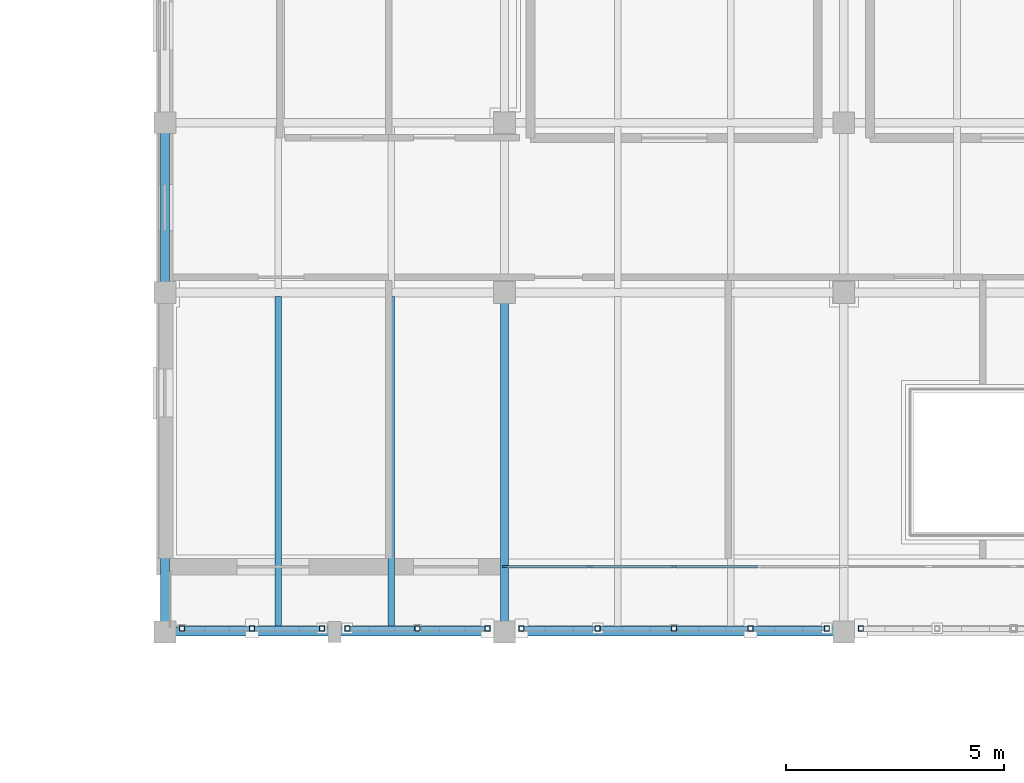
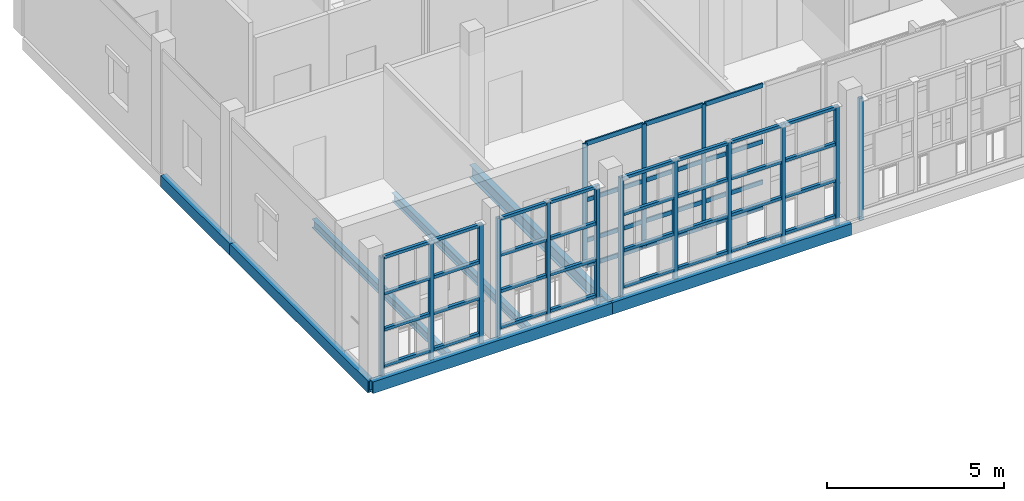
# One storey, part 33 of 89: 59 members, 7 beams, 1 element without a shape of its own.
"""IFC4 building model written with IfcOpenShell, lengths in metres."""

from ifc_helpers import new_model, si_unit, direction, frame, origin, origin_2d, place, context, subcontext, project, spatial, rectangle, hollow_rectangle, i_section, extrude, material, layer, layer_set, material_profile, profile_set, type_object, element, aggregate, save


model = new_model("IFC4")

# Units and contexts
model_context = context("Model", 3, precision=1e-05, world=origin(), true_north=direction((0.0, 1.0)))
body_context = subcontext(model_context, "Body", "Model", "MODEL_VIEW")
ifc_project = project(units=[si_unit("LENGTHUNIT", "METRE"), si_unit("AREAUNIT", "SQUARE_METRE"), si_unit("VOLUMEUNIT", "CUBIC_METRE"), si_unit("PLANEANGLEUNIT", "RADIAN"), si_unit("MASSUNIT", "GRAM", prefix="KILO")], contexts=[model_context])

# Site, building, storey
site_placement = place(None, origin())
site = spatial("IfcSite", under=ifc_project, at=site_placement, CompositionType="ELEMENT")
building_placement = place(site_placement, origin())
building = spatial("IfcBuilding", under=site, at=building_placement, Name="Celorna Specialist Clinic", CompositionType="ELEMENT")
storey_placement = place(building_placement, frame((0.0, 0.0, 14.10009765625)))
storey = spatial("IfcBuildingStorey", under=building, at=storey_placement, Name="L03", CompositionType="ELEMENT", Elevation=14.10009765625)

# Beams
ifc_material_1 = material(Name="Steel S355", Category="steel")
ifc_material_profile_1 = material_profile(ifc_material_1, i_section(OverallWidth=0.18994140625, OverallDepth=0.449951171875, WebThickness=0.009521484375, FlangeThickness=0.0146484375, at=origin_2d()), Name="IPE 450")
ifc_profile_set_1 = profile_set([ifc_material_profile_1], Name="Steel S355")
beam_type_1 = type_object("IfcBeamType", Name="BM-09", PredefinedType="BEAM", material=ifc_profile_set_1)
beam_1_placement = place(storey_placement, frame((54.60009765625, 96.5, -0.485107421875), z_axis=(0.0, 1.0, 0.0), x_axis=(-1.0, 0.0, 0.0)))
element("IfcBeam", 1, at=beam_1_placement, inside=storey, type_object=beam_type_1, Name="Transverse girder BM-09 #1248", PredefinedType="BEAM", context=body_context, shape_type="SweptSolid", body=[
    extrude(i_section(OverallWidth=0.18994140625, OverallDepth=0.449951171875, WebThickness=0.009521484375, FlangeThickness=0.0146484375, at=origin_2d()), origin(), (0.0, 0.0, 1.0), 7.800048828125),
])
ifc_material_profile_2 = material_profile(ifc_material_1, i_section(OverallWidth=0.14990234375, OverallDepth=0.300048828125, WebThickness=0.007080078125, FlangeThickness=0.0107421875, at=origin_2d()), Name="IPE 300")
ifc_profile_set_2 = profile_set([ifc_material_profile_2], Name="Steel S355")
beam_type_2 = type_object("IfcBeamType", Name="BM-13", PredefinedType="JOIST", material=ifc_profile_set_2)
for number, where, z_axis, x_axis, name in (
    (2, (49.39990234375, 96.587890625, -0.41015625), (0.0, 1.0, 0.0), (-1.0, 0.0, 0.0), "Secondary floor joist BM-13 #1281"),
    (3, (52.0, 96.587890625, -0.41015625), (0.0, 1.0, 0.0), (-1.0, 0.0, 0.0), "Secondary floor joist BM-13 #1282"),
):
    element("IfcBeam", number, at=place(storey_placement, frame(where, z_axis=z_axis, x_axis=x_axis)), inside=storey, type_object=beam_type_2, Name=name, PredefinedType="JOIST", context=body_context, shape_type="SweptSolid", body=[
        extrude(i_section(OverallWidth=0.14990234375, OverallDepth=0.300048828125, WebThickness=0.007080078125, FlangeThickness=0.0107421875, at=origin_2d()), origin(), (0.0, 0.0, 1.0), 7.6240234375),
    ])
ifc_material_profile_3 = material_profile(ifc_material_1, hollow_rectangle(XDim=0.199951171875, YDim=0.39990234375, WallThickness=0.011962890625, at=origin_2d()), Name="RHS 200x400x12")
ifc_profile_set_3 = profile_set([ifc_material_profile_3], Name="Steel S355")
beam_type_3 = type_object("IfcBeamType", Name="BM-15", PredefinedType="SPANDREL", material=ifc_profile_set_3)
beam_2_placement = place(storey_placement, frame((46.800048828125, 96.5, -0.460205078125), z_axis=(1.0, 0.0, 0.0), x_axis=(0.0, 1.0, 0.0)))
element("IfcBeam", 4, at=beam_2_placement, inside=storey, type_object=beam_type_3, Name="Spandrel beam BM-15 #1201", PredefinedType="SPANDREL", context=body_context, shape_type="SweptSolid", body=[
    extrude(hollow_rectangle(XDim=0.199951171875, YDim=0.39990234375, WallThickness=0.011962890625, at=origin_2d()), origin(), (0.0, 0.0, 1.0), 7.800048828125),
])
beam_3_placement = place(storey_placement, frame((54.60009765625, 96.5, -0.460205078125), z_axis=(1.0, 0.0, 0.0), x_axis=(0.0, 1.0, 0.0)))
element("IfcBeam", 5, at=beam_3_placement, inside=storey, type_object=beam_type_3, Name="Spandrel beam BM-15 #1202", PredefinedType="SPANDREL", context=body_context, shape_type="SweptSolid", body=[
    extrude(hollow_rectangle(XDim=0.199951171875, YDim=0.39990234375, WallThickness=0.011962890625, at=origin_2d()), origin(), (0.0, 0.0, 1.0), 7.7998046875),
])
beam_4_placement = place(storey_placement, frame((46.800048828125, 96.5, -0.460205078125), z_axis=(0.0, 1.0, 0.0), x_axis=(-1.0, 0.0, 0.0)))
element("IfcBeam", 6, at=beam_4_placement, inside=storey, type_object=beam_type_3, Name="Spandrel beam BM-15 #1245", PredefinedType="SPANDREL", context=body_context, shape_type="SweptSolid", body=[
    extrude(hollow_rectangle(XDim=0.199951171875, YDim=0.39990234375, WallThickness=0.011962890625, at=origin_2d()), origin(), (0.0, 0.0, 1.0), 7.800048828125),
])
beam_5_placement = place(storey_placement, frame((46.800048828125, 104.300048828125, -0.460205078125), z_axis=(0.0, 1.0, 0.0), x_axis=(-1.0, 0.0, 0.0)))
element("IfcBeam", 7, at=beam_5_placement, inside=storey, type_object=beam_type_3, Name="Spandrel beam BM-15 #1246", PredefinedType="SPANDREL", context=body_context, shape_type="SweptSolid", body=[
    extrude(hollow_rectangle(XDim=0.199951171875, YDim=0.39990234375, WallThickness=0.011962890625, at=origin_2d()), origin(), (0.0, 0.0, 1.0), 3.89990234375),
])

# Members
ifc_material_profile_4 = material_profile(ifc_material_1, hollow_rectangle(XDim=0.1201171875, YDim=0.1201171875, WallThickness=0.008056640625, at=origin_2d()), Name="SHS 120x120x8")
ifc_profile_set_4 = profile_set([ifc_material_profile_4], Name="Steel S355")
member_type_1 = type_object("IfcMemberType", Name="MB-11", PredefinedType="STUD", material=ifc_profile_set_4)
for number, where, z_axis, x_axis, name in (
    (8, (47.18994140625, 96.580078125, -0.360107421875), (0.0, 0.0, 1.0), (1.0, 0.0, 0.0), "Perforated screen steel post #1230"),
    (9, (48.800048828125, 96.580078125, -0.360107421875), (0.0, 0.0, 1.0), (1.0, 0.0, 0.0), "Perforated screen steel post #1231"),
    (10, (50.409912109375, 96.580078125, -0.360107421875), (0.0, 0.0, 1.0), (1.0, 0.0, 0.0), "Perforated screen steel post #1232"),
    (11, (50.989990234375, 96.580078125, -0.360107421875), (0.0, 0.0, 1.0), (1.0, 0.0, 0.0), "Perforated screen steel post #1241"),
    (12, (52.60009765625, 96.580078125, -0.360107421875), (0.0, 0.0, 1.0), (1.0, 0.0, 0.0), "Perforated screen steel post #1242"),
    (13, (54.2099609375, 96.580078125, -0.360107421875), (0.0, 0.0, 1.0), (1.0, 0.0, 0.0), "Perforated screen steel post #1243"),
    (14, (54.989990234375, 96.580078125, -0.360107421875), (0.0, 0.0, 1.0), (1.0, 0.0, 0.0), "Perforated screen steel post #1252"),
    (15, (56.7451171875, 96.580078125, -0.360107421875), (0.0, 0.0, 1.0), (1.0, 0.0, 0.0), "Perforated screen steel post #1253"),
    (16, (58.5, 96.580078125, -0.360107421875), (0.0, 0.0, 1.0), (1.0, 0.0, 0.0), "Perforated screen steel post #1254"),
    (17, (60.2548828125, 96.580078125, -0.360107421875), (0.0, 0.0, 1.0), (1.0, 0.0, 0.0), "Perforated screen steel post #1255"),
    (18, (62.010009765625, 96.580078125, -0.360107421875), (0.0, 0.0, 1.0), (1.0, 0.0, 0.0), "Perforated screen steel post #1256"),
    (19, (62.7900390625, 96.580078125, -0.360107421875), (0.0, 0.0, 1.0), (1.0, 0.0, 0.0), "Perforated screen steel post #1273"),
):
    element("IfcMember", number, at=place(storey_placement, frame(where, z_axis=z_axis, x_axis=x_axis)), inside=storey, type_object=member_type_1, Name=name, PredefinedType="STUD", context=body_context, shape_type="SweptSolid", body=[
        extrude(hollow_rectangle(XDim=0.1201171875, YDim=0.1201171875, WallThickness=0.008056640625, at=origin_2d()), origin(), (0.0, 0.0, 1.0), 4.199951171875),
    ])
ifc_material_profile_5 = material_profile(ifc_material_1, hollow_rectangle(XDim=0.10009765625, YDim=0.10009765625, WallThickness=0.006103515625, at=origin_2d()), Name="SHS 100x100x6")
ifc_profile_set_5 = profile_set([ifc_material_profile_5], Name="Steel S355")
member_type_2 = type_object("IfcMemberType", Name="MB-12", PredefinedType="STUD", material=ifc_profile_set_5)
for number, where, z_axis, x_axis, name in (
    (20, (47.25, 96.580078125, 0.0498046875), (1.0, 0.0, 0.0), (0.0, 1.0, 0.0), "Perforated screen rail #1233"),
    (21, (47.25, 96.580078125, 1.296630859375), (1.0, 0.0, 0.0), (0.0, 1.0, 0.0), "Perforated screen rail #1234"),
    (22, (47.25, 96.580078125, 2.543212890625), (1.0, 0.0, 0.0), (0.0, 1.0, 0.0), "Perforated screen rail #1235"),
    (23, (47.25, 96.580078125, 3.789794921875), (1.0, 0.0, 0.0), (0.0, 1.0, 0.0), "Perforated screen rail #1236"),
    (24, (48.860107421875, 96.580078125, 0.0498046875), (1.0, 0.0, 0.0), (0.0, 1.0, 0.0), "Perforated screen rail #1237"),
    (25, (48.860107421875, 96.580078125, 1.296630859375), (1.0, 0.0, 0.0), (0.0, 1.0, 0.0), "Perforated screen rail #1238"),
    (26, (48.860107421875, 96.580078125, 2.543212890625), (1.0, 0.0, 0.0), (0.0, 1.0, 0.0), "Perforated screen rail #1239"),
    (27, (48.860107421875, 96.580078125, 3.789794921875), (1.0, 0.0, 0.0), (0.0, 1.0, 0.0), "Perforated screen rail #1240"),
    (28, (51.050048828125, 96.580078125, 0.0498046875), (1.0, 0.0, 0.0), (0.0, 1.0, 0.0), "Perforated screen rail #1244"),
    (29, (51.050048828125, 96.580078125, 1.296630859375), (1.0, 0.0, 0.0), (0.0, 1.0, 0.0), "Perforated screen rail #1245"),
    (30, (51.050048828125, 96.580078125, 2.543212890625), (1.0, 0.0, 0.0), (0.0, 1.0, 0.0), "Perforated screen rail #1246"),
    (31, (51.050048828125, 96.580078125, 3.789794921875), (1.0, 0.0, 0.0), (0.0, 1.0, 0.0), "Perforated screen rail #1247"),
    (32, (52.659912109375, 96.580078125, 0.0498046875), (1.0, 0.0, 0.0), (0.0, 1.0, 0.0), "Perforated screen rail #1248"),
    (33, (52.659912109375, 96.580078125, 1.296630859375), (1.0, 0.0, 0.0), (0.0, 1.0, 0.0), "Perforated screen rail #1249"),
    (34, (52.659912109375, 96.580078125, 2.543212890625), (1.0, 0.0, 0.0), (0.0, 1.0, 0.0), "Perforated screen rail #1250"),
    (35, (52.659912109375, 96.580078125, 3.789794921875), (1.0, 0.0, 0.0), (0.0, 1.0, 0.0), "Perforated screen rail #1251"),
):
    element("IfcMember", number, at=place(storey_placement, frame(where, z_axis=z_axis, x_axis=x_axis)), inside=storey, type_object=member_type_2, Name=name, PredefinedType="STUD", context=body_context, shape_type="SweptSolid", body=[
        extrude(hollow_rectangle(XDim=0.10009765625, YDim=0.10009765625, WallThickness=0.006103515625, at=origin_2d()), origin(), (0.0, 0.0, 1.0), 1.489990234375),
    ])
for number, where, z_axis, x_axis, name in (
    (36, (55.050048828125, 96.580078125, 0.0498046875), (1.0, 0.0, 0.0), (0.0, 1.0, 0.0), "Perforated screen rail #1257"),
    (37, (55.050048828125, 96.580078125, 1.296630859375), (1.0, 0.0, 0.0), (0.0, 1.0, 0.0), "Perforated screen rail #1258"),
    (38, (55.050048828125, 96.580078125, 2.543212890625), (1.0, 0.0, 0.0), (0.0, 1.0, 0.0), "Perforated screen rail #1259"),
    (39, (55.050048828125, 96.580078125, 3.789794921875), (1.0, 0.0, 0.0), (0.0, 1.0, 0.0), "Perforated screen rail #1260"),
    (40, (56.804931640625, 96.580078125, 0.0498046875), (1.0, 0.0, 0.0), (0.0, 1.0, 0.0), "Perforated screen rail #1261"),
    (41, (56.804931640625, 96.580078125, 1.296630859375), (1.0, 0.0, 0.0), (0.0, 1.0, 0.0), "Perforated screen rail #1262"),
    (42, (56.804931640625, 96.580078125, 2.543212890625), (1.0, 0.0, 0.0), (0.0, 1.0, 0.0), "Perforated screen rail #1263"),
    (43, (56.804931640625, 96.580078125, 3.789794921875), (1.0, 0.0, 0.0), (0.0, 1.0, 0.0), "Perforated screen rail #1264"),
    (44, (58.56005859375, 96.580078125, 0.0498046875), (1.0, 0.0, 0.0), (0.0, 1.0, 0.0), "Perforated screen rail #1265"),
    (45, (58.56005859375, 96.580078125, 1.296630859375), (1.0, 0.0, 0.0), (0.0, 1.0, 0.0), "Perforated screen rail #1266"),
    (46, (58.56005859375, 96.580078125, 2.543212890625), (1.0, 0.0, 0.0), (0.0, 1.0, 0.0), "Perforated screen rail #1267"),
    (47, (58.56005859375, 96.580078125, 3.789794921875), (1.0, 0.0, 0.0), (0.0, 1.0, 0.0), "Perforated screen rail #1268"),
    (48, (60.31494140625, 96.580078125, 0.0498046875), (1.0, 0.0, 0.0), (0.0, 1.0, 0.0), "Perforated screen rail #1269"),
    (49, (60.31494140625, 96.580078125, 1.296630859375), (1.0, 0.0, 0.0), (0.0, 1.0, 0.0), "Perforated screen rail #1270"),
    (50, (60.31494140625, 96.580078125, 2.543212890625), (1.0, 0.0, 0.0), (0.0, 1.0, 0.0), "Perforated screen rail #1271"),
    (51, (60.31494140625, 96.580078125, 3.789794921875), (1.0, 0.0, 0.0), (0.0, 1.0, 0.0), "Perforated screen rail #1272"),
):
    element("IfcMember", number, at=place(storey_placement, frame(where, z_axis=z_axis, x_axis=x_axis)), inside=storey, type_object=member_type_2, Name=name, PredefinedType="STUD", context=body_context, shape_type="SweptSolid", body=[
        extrude(hollow_rectangle(XDim=0.10009765625, YDim=0.10009765625, WallThickness=0.006103515625, at=origin_2d()), origin(), (0.0, 0.0, 1.0), 1.635009765625),
    ])

# Curtain wall, members
ifc_material_2 = material(Name="Thermally broken aluminium and solar-control glass curtain wall", Category="aluminium")
ifc_layer = layer(ifc_material_2, 0.159912109375, Name="Thermally broken aluminium and solar-control glass curtain wall")
ifc_layer_set = layer_set([ifc_layer], Name="Thermally broken aluminium and solar-control glass curtain wall")
curtain_wall_type = type_object("IfcCurtainWallType", Name="CW-69", PredefinedType="NOTDEFINED", material=ifc_layer_set)
curtain_wall_placement = place(storey_placement, origin())
curtain_wall = element("IfcCurtainWall", 52, at=curtain_wall_placement, inside=storey, type_object=curtain_wall_type, Name="Curtain wall CW-69 #129", PredefinedType="NOTDEFINED")
ifc_material_3 = material(Name="Anodized aluminium mullion", Category="aluminium")
ifc_material_profile_6 = material_profile(ifc_material_3, rectangle(XDim=0.050048828125, YDim=0.139892578125, at=origin_2d()), Name="ALU MULLION 50x140")
ifc_profile_set_6 = profile_set([ifc_material_profile_6], Name="Anodized aluminium mullion")
member_type_3 = type_object("IfcMemberType", Name="ML-03", PredefinedType="MULLION", material=ifc_profile_set_6)
member_1_placement = place(storey_placement, frame((58.5, 98.0, 0.0), z_axis=(0.0, 0.0, 1.0), x_axis=(0.0, -1.0, 0.0)))
member_1 = element("IfcMember", 53, at=member_1_placement, type_object=member_type_3, Name="CW-69 mullion 3", PredefinedType="MULLION", context=body_context, shape_type="SweptSolid", body=[
    extrude(rectangle(XDim=0.050048828125, YDim=0.139892578125, at=origin_2d()), origin(), (0.0, 0.0, 1.0), 4.260009765625),
])
member_2_placement = place(storey_placement, frame((56.552001953125, 98.0, 0.0), z_axis=(0.0, 0.0, 1.0), x_axis=(0.0, -1.0, 0.0)))
member_2 = element("IfcMember", 54, at=member_2_placement, type_object=member_type_3, Name="CW-69 mullion 4", PredefinedType="MULLION", context=body_context, shape_type="SweptSolid", body=[
    extrude(rectangle(XDim=0.050048828125, YDim=0.139892578125, at=origin_2d()), origin(), (0.0, 0.0, 1.0), 4.260009765625),
])
member_3_placement = place(storey_placement, frame((54.62890625, 98.0, 0.0), z_axis=(0.0, 0.0, 1.0), x_axis=(0.0, -1.0, 0.0)))
member_3 = element("IfcMember", 55, at=member_3_placement, type_object=member_type_3, Name="CW-69 mullion 5", PredefinedType="MULLION", context=body_context, shape_type="SweptSolid", body=[
    extrude(rectangle(XDim=0.050048828125, YDim=0.139892578125, at=origin_2d()), origin(), (0.0, 0.0, 1.0), 4.260009765625),
])
ifc_material_4 = material(Name="Anodized aluminium transom", Category="aluminium")
ifc_material_profile_7 = material_profile(ifc_material_4, rectangle(XDim=0.050048828125, YDim=0.14990234375, at=origin_2d()), Name="ALU TRANSOM 50x150")
ifc_profile_set_7 = profile_set([ifc_material_profile_7], Name="Anodized aluminium transom")
member_type_4 = type_object("IfcMemberType", Name="TR-02", PredefinedType="USERDEFINED", material=ifc_profile_set_7)
member_4_placement = place(storey_placement, frame((60.423095703125, 98.0, 0.02490234375), z_axis=(-1.0, 0.0, 0.0), x_axis=(0.0, -1.0, 0.0)))
member_4 = element("IfcMember", 56, at=member_4_placement, type_object=member_type_4, Name="CW-69 transom 2.1", ObjectType="TRANSOM", PredefinedType="USERDEFINED", context=body_context, shape_type="SweptSolid", body=[
    extrude(rectangle(XDim=0.050048828125, YDim=0.14990234375, at=origin_2d()), origin(), (0.0, 0.0, 1.0), 1.898193359375),
])
member_5_placement = place(storey_placement, frame((60.423095703125, 98.0, 0.89990234375), z_axis=(-1.0, 0.0, 0.0), x_axis=(0.0, -1.0, 0.0)))
member_5 = element("IfcMember", 57, at=member_5_placement, type_object=member_type_4, Name="CW-69 transom 2.2", ObjectType="TRANSOM", PredefinedType="USERDEFINED", context=body_context, shape_type="SweptSolid", body=[
    extrude(rectangle(XDim=0.050048828125, YDim=0.14990234375, at=origin_2d()), origin(), (0.0, 0.0, 1.0), 1.898193359375),
])
member_6_placement = place(storey_placement, frame((60.423095703125, 98.0, 2.2998046875), z_axis=(-1.0, 0.0, 0.0), x_axis=(0.0, -1.0, 0.0)))
member_6 = element("IfcMember", 58, at=member_6_placement, type_object=member_type_4, Name="CW-69 transom 2.3", ObjectType="TRANSOM", PredefinedType="USERDEFINED", context=body_context, shape_type="SweptSolid", body=[
    extrude(rectangle(XDim=0.050048828125, YDim=0.14990234375, at=origin_2d()), origin(), (0.0, 0.0, 1.0), 1.898193359375),
])
member_7_placement = place(storey_placement, frame((60.423095703125, 98.0, 4.23486328125), z_axis=(-1.0, 0.0, 0.0), x_axis=(0.0, -1.0, 0.0)))
member_7 = element("IfcMember", 59, at=member_7_placement, type_object=member_type_4, Name="CW-69 transom 2.4", ObjectType="TRANSOM", PredefinedType="USERDEFINED", context=body_context, shape_type="SweptSolid", body=[
    extrude(rectangle(XDim=0.050048828125, YDim=0.14990234375, at=origin_2d()), origin(), (0.0, 0.0, 1.0), 1.898193359375),
])
member_8_placement = place(storey_placement, frame((58.47509765625, 98.0, 0.02490234375), z_axis=(-1.0, 0.0, 0.0), x_axis=(0.0, -1.0, 0.0)))
member_8 = element("IfcMember", 60, at=member_8_placement, type_object=member_type_4, Name="CW-69 transom 3.1", ObjectType="TRANSOM", PredefinedType="USERDEFINED", context=body_context, shape_type="SweptSolid", body=[
    extrude(rectangle(XDim=0.050048828125, YDim=0.14990234375, at=origin_2d()), origin(), (0.0, 0.0, 1.0), 1.898193359375),
])
member_9_placement = place(storey_placement, frame((58.47509765625, 98.0, 0.89990234375), z_axis=(-1.0, 0.0, 0.0), x_axis=(0.0, -1.0, 0.0)))
member_9 = element("IfcMember", 61, at=member_9_placement, type_object=member_type_4, Name="CW-69 transom 3.2", ObjectType="TRANSOM", PredefinedType="USERDEFINED", context=body_context, shape_type="SweptSolid", body=[
    extrude(rectangle(XDim=0.050048828125, YDim=0.14990234375, at=origin_2d()), origin(), (0.0, 0.0, 1.0), 1.898193359375),
])
member_10_placement = place(storey_placement, frame((58.47509765625, 98.0, 2.2998046875), z_axis=(-1.0, 0.0, 0.0), x_axis=(0.0, -1.0, 0.0)))
member_10 = element("IfcMember", 62, at=member_10_placement, type_object=member_type_4, Name="CW-69 transom 3.3", ObjectType="TRANSOM", PredefinedType="USERDEFINED", context=body_context, shape_type="SweptSolid", body=[
    extrude(rectangle(XDim=0.050048828125, YDim=0.14990234375, at=origin_2d()), origin(), (0.0, 0.0, 1.0), 1.898193359375),
])
member_11_placement = place(storey_placement, frame((58.47509765625, 98.0, 4.23486328125), z_axis=(-1.0, 0.0, 0.0), x_axis=(0.0, -1.0, 0.0)))
member_11 = element("IfcMember", 63, at=member_11_placement, type_object=member_type_4, Name="CW-69 transom 3.4", ObjectType="TRANSOM", PredefinedType="USERDEFINED", context=body_context, shape_type="SweptSolid", body=[
    extrude(rectangle(XDim=0.050048828125, YDim=0.14990234375, at=origin_2d()), origin(), (0.0, 0.0, 1.0), 1.898193359375),
])
member_12_placement = place(storey_placement, frame((56.527099609375, 98.0, 0.02490234375), z_axis=(-1.0, 0.0, 0.0), x_axis=(0.0, -1.0, 0.0)))
member_12 = element("IfcMember", 64, at=member_12_placement, type_object=member_type_4, Name="CW-69 transom 4.1", ObjectType="TRANSOM", PredefinedType="USERDEFINED", context=body_context, shape_type="SweptSolid", body=[
    extrude(rectangle(XDim=0.050048828125, YDim=0.14990234375, at=origin_2d()), origin(), (0.0, 0.0, 1.0), 1.873046875),
])
member_13_placement = place(storey_placement, frame((56.527099609375, 98.0, 0.89990234375), z_axis=(-1.0, 0.0, 0.0), x_axis=(0.0, -1.0, 0.0)))
member_13 = element("IfcMember", 65, at=member_13_placement, type_object=member_type_4, Name="CW-69 transom 4.2", ObjectType="TRANSOM", PredefinedType="USERDEFINED", context=body_context, shape_type="SweptSolid", body=[
    extrude(rectangle(XDim=0.050048828125, YDim=0.14990234375, at=origin_2d()), origin(), (0.0, 0.0, 1.0), 1.873046875),
])
member_14_placement = place(storey_placement, frame((56.527099609375, 98.0, 2.2998046875), z_axis=(-1.0, 0.0, 0.0), x_axis=(0.0, -1.0, 0.0)))
member_14 = element("IfcMember", 66, at=member_14_placement, type_object=member_type_4, Name="CW-69 transom 4.3", ObjectType="TRANSOM", PredefinedType="USERDEFINED", context=body_context, shape_type="SweptSolid", body=[
    extrude(rectangle(XDim=0.050048828125, YDim=0.14990234375, at=origin_2d()), origin(), (0.0, 0.0, 1.0), 1.873046875),
])
member_15_placement = place(storey_placement, frame((56.527099609375, 98.0, 4.23486328125), z_axis=(-1.0, 0.0, 0.0), x_axis=(0.0, -1.0, 0.0)))
member_15 = element("IfcMember", 67, at=member_15_placement, type_object=member_type_4, Name="CW-69 transom 4.4", ObjectType="TRANSOM", PredefinedType="USERDEFINED", context=body_context, shape_type="SweptSolid", body=[
    extrude(rectangle(XDim=0.050048828125, YDim=0.14990234375, at=origin_2d()), origin(), (0.0, 0.0, 1.0), 1.873046875),
])
aggregate(curtain_wall, [member_1, member_2, member_3, member_4, member_5, member_6, member_7, member_8, member_9, member_10, member_11, member_12, member_13, member_14, member_15])

save(model, "model.ifc")
